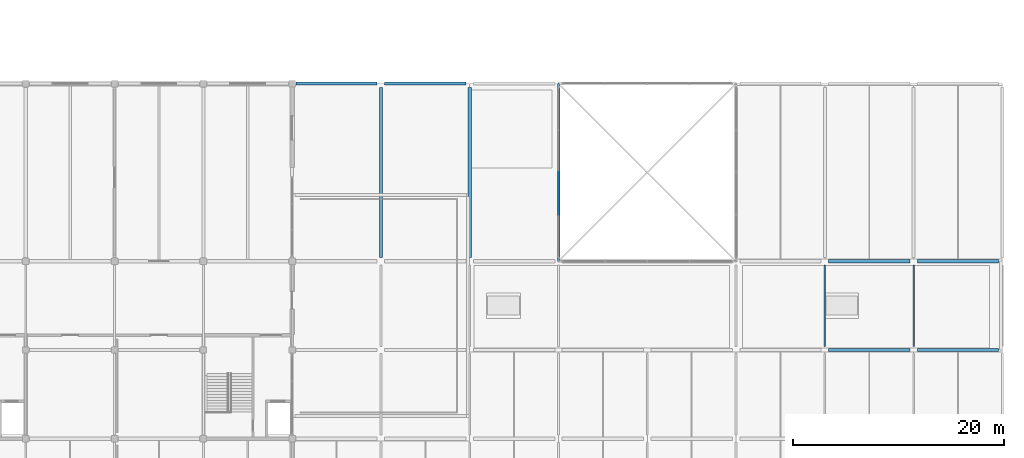
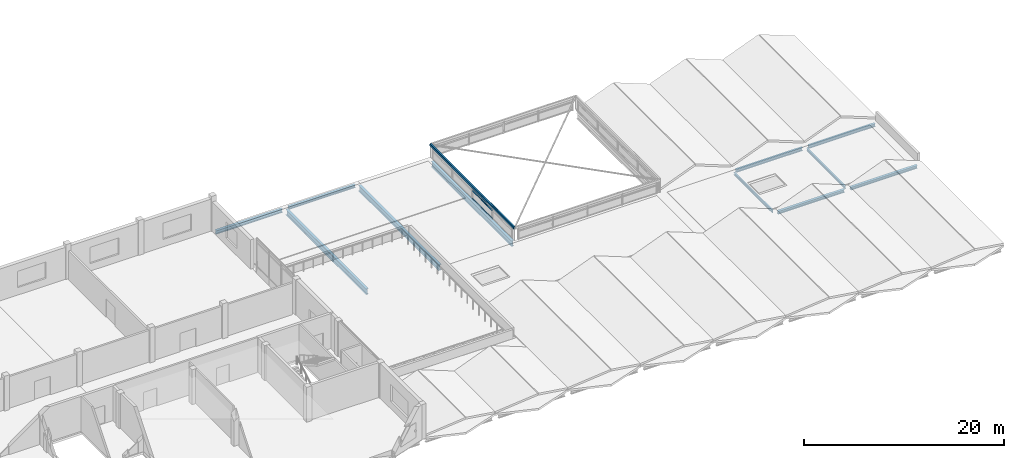
# One storey, part 62 of 81: 12 beams, 3 members, 1 element without a shape of its own.
"""IFC4 building model written with IfcOpenShell, lengths in metres."""

from ifc_helpers import new_model, si_unit, direction, frame, origin, origin_2d, place, context, subcontext, project, spatial, rectangle, hollow_rectangle, i_section, extrude, material, layer, layer_set, material_profile, profile_set, type_object, element, aggregate, save


model = new_model("IFC4")

# Units and contexts
model_context = context("Model", 3, precision=1e-05, world=origin(), true_north=direction((0.0, 1.0)))
body_context = subcontext(model_context, "Body", "Model", "MODEL_VIEW")
ifc_project = project(units=[si_unit("LENGTHUNIT", "METRE"), si_unit("AREAUNIT", "SQUARE_METRE"), si_unit("VOLUMEUNIT", "CUBIC_METRE"), si_unit("PLANEANGLEUNIT", "RADIAN"), si_unit("MASSUNIT", "GRAM", prefix="KILO")], contexts=[model_context])

# Site, building, storey
site_placement = place(None, origin())
site = spatial("IfcSite", under=ifc_project, at=site_placement, CompositionType="ELEMENT")
building_placement = place(site_placement, origin())
building = spatial("IfcBuilding", under=site, at=building_placement, Name="Qawsi Khor Wholesale Market", CompositionType="ELEMENT")
storey_placement = place(building_placement, frame((0.0, 0.0, 16.199951171875)))
storey = spatial("IfcBuildingStorey", under=building, at=storey_placement, Name="L03", CompositionType="ELEMENT", Elevation=16.199951171875)

# Curtain wall, members
ifc_material_1 = material(Name="Aluminium Anodised Bronze", Category="aluminium")
ifc_layer = layer(ifc_material_1, 0.179931640625, Name="Aluminium Anodised Bronze")
ifc_layer_set = layer_set([ifc_layer], Name="Aluminium Anodised Bronze")
curtain_wall_type = type_object("IfcCurtainWallType", Name="Atrium Full-Height Curtain Wall CW-02", PredefinedType="NOTDEFINED", material=ifc_layer_set)
curtain_wall_placement = place(storey_placement, origin())
curtain_wall = element("IfcCurtainWall", 1, at=curtain_wall_placement, inside=storey, type_object=curtain_wall_type, Name="Curtain wall CW-CW-02-L03-052", PredefinedType="NOTDEFINED")
ifc_material_profile_1 = material_profile(ifc_material_1, rectangle(XDim=0.06494140625, YDim=0.139892578125, at=origin_2d()), Name="ALU TRANSOM 65x140")
ifc_profile_set_1 = profile_set([ifc_material_profile_1], Name="Aluminium Anodised Bronze")
member_type = type_object("IfcMemberType", Name="Curtain Wall Transom CW-02 ALU TRANSOM 65x140", PredefinedType="USERDEFINED", material=ifc_profile_set_1)
member_1_placement = place(storey_placement, frame((151.199951171875, 29.597412109375, 0.0), z_axis=(0.0, 1.0, 0.0), x_axis=(-1.0, 0.0, 0.0)))
member_1 = element("IfcMember", 2, at=member_1_placement, type_object=member_type, Name="Transom CW-CW-02-L03-052-T0_01", ObjectType="TRANSOM", PredefinedType="USERDEFINED", context=body_context, shape_type="SweptSolid", body=[
    extrude(rectangle(XDim=0.06494140625, YDim=0.139892578125, at=origin_2d()), origin(), (0.0, 0.0, 1.0), 4.002685546875),
])
member_2_placement = place(storey_placement, frame((151.199951171875, 29.597412109375, 1.0), z_axis=(0.0, 1.0, 0.0), x_axis=(-1.0, 0.0, 0.0)))
member_2 = element("IfcMember", 3, at=member_2_placement, type_object=member_type, Name="Transom CW-CW-02-L03-052-T1_01", ObjectType="TRANSOM", PredefinedType="USERDEFINED", context=body_context, shape_type="SweptSolid", body=[
    extrude(rectangle(XDim=0.06494140625, YDim=0.139892578125, at=origin_2d()), origin(), (0.0, 0.0, 1.0), 4.002685546875),
])
member_3_placement = place(storey_placement, frame((151.199951171875, 29.597412109375, 1.449951171875), z_axis=(0.0, 1.0, 0.0), x_axis=(-1.0, 0.0, 0.0)))
member_3 = element("IfcMember", 4, at=member_3_placement, type_object=member_type, Name="Transom CW-CW-02-L03-052-T2_01", ObjectType="TRANSOM", PredefinedType="USERDEFINED", context=body_context, shape_type="SweptSolid", body=[
    extrude(rectangle(XDim=0.06494140625, YDim=0.139892578125, at=origin_2d()), origin(), (0.0, 0.0, 1.0), 4.002685546875),
])
aggregate(curtain_wall, [member_1, member_2, member_3])

# Beams
ifc_material_2 = material(Name="Steel S355", Category="steel")
ifc_material_profile_2 = material_profile(ifc_material_2, hollow_rectangle(XDim=0.199951171875, YDim=0.300048828125, WallThickness=0.012451171875, InnerFilletRadius=0.012451171875, OuterFilletRadius=0.02490234375, at=origin_2d()), Name="RHS 300x200x12.5")
ifc_profile_set_2 = profile_set([ifc_material_profile_2], Name="Steel S355")
beam_type_1 = type_object("IfcBeamType", Name="Lantern Rim Beam RHS 300x200x12.5", PredefinedType="BEAM", material=ifc_profile_set_2)
beam_1_placement = place(storey_placement, frame((151.199951171875, 42.0, 1.5), z_axis=(0.0, -1.0, 0.0), x_axis=(1.0, 0.0, 0.0)))
element("IfcBeam", 5, at=beam_1_placement, inside=storey, type_object=beam_type_1, Name="Atrium lantern rim beam EAT-4", PredefinedType="BEAM", context=body_context, shape_type="SweptSolid", body=[
    extrude(hollow_rectangle(XDim=0.199951171875, YDim=0.300048828125, WallThickness=0.012451171875, InnerFilletRadius=0.012451171875, OuterFilletRadius=0.02490234375, at=origin_2d()), origin(), (0.0, 0.0, 1.0), 16.800048828125),
])
ifc_material_profile_3 = material_profile(ifc_material_2, i_section(OverallWidth=0.300048828125, OverallDepth=0.35009765625, WebThickness=0.010009765625, FlangeThickness=0.017578125, FilletRadius=0.027099609375, at=origin_2d()), Name="HEA 360")
ifc_profile_set_3 = profile_set([ifc_material_profile_3], Name="Steel S355")
beam_type_2 = type_object("IfcBeamType", Name="Primary Girder HEA 360", PredefinedType="BEAM", material=ifc_profile_set_3)
for number, where, z_axis, x_axis, name in (
    (6, (134.75, 42.0, -0.425048828125), (1.0, 0.0, 0.0), (0.0, 1.0, 0.0), "BM-X-L03-16_+05"),
    (7, (176.75, 16.800048828125, -0.425048828125), (1.0, 0.0, 0.0), (0.0, 1.0, 0.0), "BM-X-L03-21_+02"),
    (8, (176.75, 25.199951171875, -0.425048828125), (1.0, 0.0, 0.0), (0.0, 1.0, 0.0), "BM-X-L03-21_+03"),
):
    element("IfcBeam", number, at=place(storey_placement, frame(where, z_axis=z_axis, x_axis=x_axis)), inside=storey, type_object=beam_type_2, Name=name, PredefinedType="BEAM", context=body_context, shape_type="SweptSolid", body=[
        extrude(i_section(OverallWidth=0.300048828125, OverallDepth=0.35009765625, WebThickness=0.010009765625, FlangeThickness=0.017578125, FilletRadius=0.027099609375, at=origin_2d()), origin(), (0.0, 0.0, 1.0), 7.699951171875),
    ])
for number, where, z_axis, x_axis, name in (
    (9, (185.14990234375, 16.800048828125, -0.425048828125), (1.0, 0.0, 0.0), (0.0, 1.0, 0.0), "BM-X-L03-22_+02"),
    (10, (185.14990234375, 25.199951171875, -0.425048828125), (1.0, 0.0, 0.0), (0.0, 1.0, 0.0), "BM-X-L03-22_+03"),
):
    element("IfcBeam", number, at=place(storey_placement, frame(where, z_axis=z_axis, x_axis=x_axis)), inside=storey, type_object=beam_type_2, Name=name, PredefinedType="BEAM", context=body_context, shape_type="SweptSolid", body=[
        extrude(i_section(OverallWidth=0.300048828125, OverallDepth=0.35009765625, WebThickness=0.010009765625, FlangeThickness=0.017578125, FilletRadius=0.027099609375, at=origin_2d()), origin(), (0.0, 0.0, 1.0), 7.7001953125),
    ])
ifc_material_profile_4 = material_profile(ifc_material_2, i_section(OverallWidth=0.300048828125, OverallDepth=0.43994140625, WebThickness=0.011474609375, FlangeThickness=0.02099609375, FilletRadius=0.027099609375, at=origin_2d()), Name="HEA 450")
ifc_profile_set_4 = profile_set([ifc_material_profile_4], Name="Steel S355")
beam_type_3 = type_object("IfcBeamType", Name="Primary Girder HEA 450", PredefinedType="BEAM", material=ifc_profile_set_4)
beam_2_placement = place(storey_placement, frame((126.35009765625, 42.0, -0.469970703125), z_axis=(1.0, 0.0, 0.0), x_axis=(0.0, 1.0, 0.0)))
element("IfcBeam", 11, at=beam_2_placement, inside=storey, type_object=beam_type_3, Name="BM-X-L03-15_+05", PredefinedType="BEAM", context=body_context, shape_type="SweptSolid", body=[
    extrude(i_section(OverallWidth=0.300048828125, OverallDepth=0.43994140625, WebThickness=0.011474609375, FlangeThickness=0.02099609375, FilletRadius=0.027099609375, at=origin_2d()), origin(), (0.0, 0.0, 1.0), 7.699951171875),
])
ifc_material_profile_5 = material_profile(ifc_material_2, i_section(OverallWidth=0.300048828125, OverallDepth=0.68994140625, WebThickness=0.014404296875, FlangeThickness=0.027099609375, FilletRadius=0.027099609375, at=origin_2d()), Name="HEA 700")
ifc_profile_set_5 = profile_set([ifc_material_profile_5], Name="Steel S355")
beam_type_4 = type_object("IfcBeamType", Name="Primary Girder HEA 700", PredefinedType="BEAM", material=ifc_profile_set_5)
for number, where, z_axis, x_axis, name in (
    (12, (134.39990234375, 25.550048828125, -0.594970703125), (0.0, 1.0, 0.0), (-1.0, 0.0, 0.0), "BM-YL-L03-16_+03"),
    (13, (142.800048828125, 25.550048828125, -0.594970703125), (0.0, 1.0, 0.0), (-1.0, 0.0, 0.0), "BM-YL-L03-17_+03"),
    (14, (151.199951171875, 25.550048828125, -0.594970703125), (0.0, 1.0, 0.0), (-1.0, 0.0, 0.0), "BM-YL-L03-18_+03"),
):
    element("IfcBeam", number, at=place(storey_placement, frame(where, z_axis=z_axis, x_axis=x_axis)), inside=storey, type_object=beam_type_4, Name=name, PredefinedType="BEAM", context=body_context, shape_type="SweptSolid", body=[
        extrude(i_section(OverallWidth=0.300048828125, OverallDepth=0.68994140625, WebThickness=0.014404296875, FlangeThickness=0.027099609375, FilletRadius=0.027099609375, at=origin_2d()), origin(), (0.0, 0.0, 1.0), 16.099853515625),
    ])
ifc_material_profile_6 = material_profile(ifc_material_2, i_section(OverallWidth=0.159912109375, OverallDepth=0.330078125, WebThickness=0.007568359375, FlangeThickness=0.011474609375, FilletRadius=0.01806640625, at=origin_2d()), Name="IPE 330")
ifc_profile_set_6 = profile_set([ifc_material_profile_6], Name="Steel S355")
beam_type_5 = type_object("IfcBeamType", Name="Secondary Beam IPE 330", PredefinedType="BEAM", material=ifc_profile_set_6)
for number, where, z_axis, x_axis, name in (
    (15, (176.39990234375, 17.14990234375, -0.4150390625), (0.0, 1.0, 0.0), (-1.0, 0.0, 0.0), "BM-Y-L03-21_+02"),
    (16, (184.800048828125, 17.14990234375, -0.4150390625), (0.0, 1.0, 0.0), (-1.0, 0.0, 0.0), "BM-Y-L03-22_+02"),
):
    element("IfcBeam", number, at=place(storey_placement, frame(where, z_axis=z_axis, x_axis=x_axis)), inside=storey, type_object=beam_type_5, Name=name, PredefinedType="BEAM", context=body_context, shape_type="SweptSolid", body=[
        extrude(i_section(OverallWidth=0.159912109375, OverallDepth=0.330078125, WebThickness=0.007568359375, FlangeThickness=0.011474609375, FilletRadius=0.01806640625, at=origin_2d()), origin(), (0.0, 0.0, 1.0), 7.7001953125),
    ])

save(model, "model.ifc")
